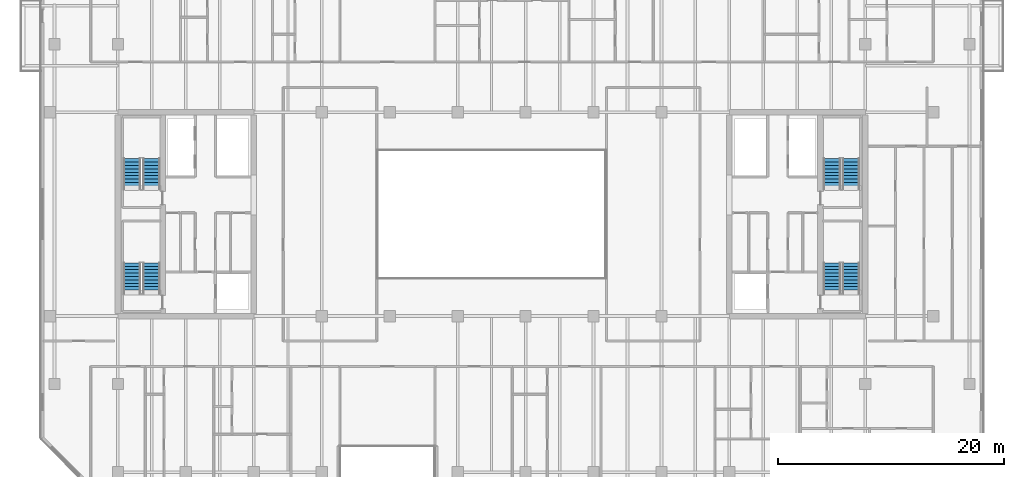
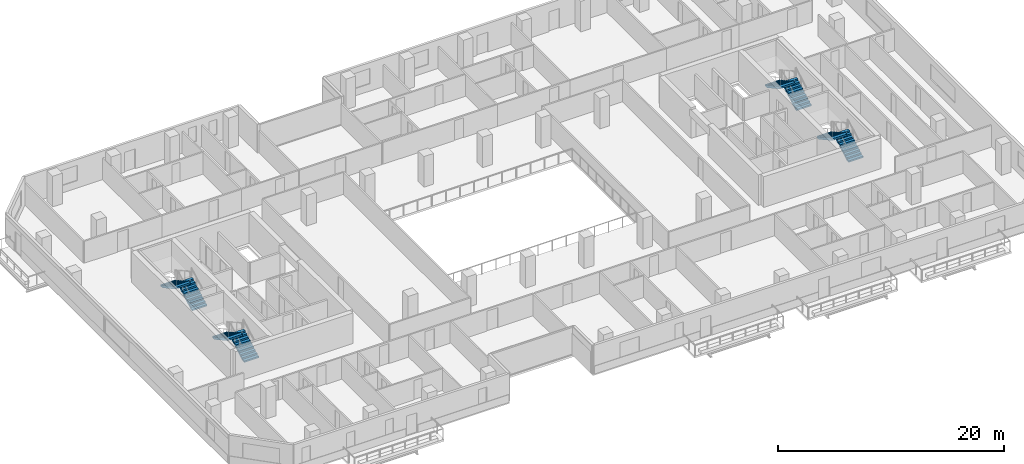
# One storey, part 17 of 23: 8 stair flights, 4 elements without a shape of their own.
"""IFC4 building model written with IfcOpenShell, lengths in metres."""

from ifc_helpers import new_model, si_unit, direction, frame, origin, place, context, subcontext, project, spatial, polyline, outline, extrude, material, type_object, element, aggregate, save


model = new_model("IFC4")

# Units and contexts
model_context = context("Model", 3, precision=1e-05, world=origin(), true_north=direction((0.0, 1.0)))
body_context = subcontext(model_context, "Body", "Model", "MODEL_VIEW")
ifc_project = project(units=[si_unit("LENGTHUNIT", "METRE"), si_unit("AREAUNIT", "SQUARE_METRE"), si_unit("VOLUMEUNIT", "CUBIC_METRE"), si_unit("PLANEANGLEUNIT", "RADIAN"), si_unit("MASSUNIT", "GRAM", prefix="KILO")], contexts=[model_context])

# Site, building, storey
site_placement = place(None, origin())
site = spatial("IfcSite", under=ifc_project, at=site_placement, CompositionType="ELEMENT")
building_placement = place(site_placement, origin())
building = spatial("IfcBuilding", under=site, at=building_placement, Name="Tanjung Sevakor Pilgrim Tower", CompositionType="ELEMENT")
storey_placement = place(building_placement, frame((0.0, 0.0, 88.77001953125)))
storey = spatial("IfcBuildingStorey", under=building, at=storey_placement, Name="L24", CompositionType="ELEMENT", Elevation=88.77001953125)

# Stair, stair flights
ifc_material_1 = material(Name="Concrete C40/50", Category="concrete")
stair_type = type_object("IfcStairType", Name="STAIR-ST-CR150", PredefinedType="HALF_TURN_STAIR", material=ifc_material_1)
stair_1_placement = place(storey_placement, origin())
stair_1 = element("IfcStair", 1, at=stair_1_placement, inside=storey, type_object=stair_type, Name="L24 West Core Exit Stair 1", PredefinedType="HALF_TURN_STAIR")
ifc_material_2 = material(Name="Concrete C40/50", Category="concrete")
stair_flight_type = type_object("IfcStairFlightType", Name="FLIGHT-ST-CR150", PredefinedType="STRAIGHT", material=ifc_material_2)
stair_flight_1_placement = place(storey_placement, frame((26.949951171875, 26.60009765625, 0.0), z_axis=(0.0, 0.0, 1.0), x_axis=(0.0, 1.0, 0.0)))
stair_flight_1 = element("IfcStairFlight", 2, at=stair_flight_1_placement, type_object=stair_flight_type, Name="TS-W1 flight 1", NumberOfRisers=10, NumberOfTreads=9, PredefinedType="STRAIGHT", RiserHeight=0.165, TreadLength=0.3, context=body_context, shape_type="SweptSolid", body=[
    extrude(outline(polyline([(0.0, 0.0), (0.0, 0.1650390625), (0.300048828125, 0.1650390625), (0.300048828125, 0.330078125), (0.60009765625, 0.330078125), (0.60009765625, 0.4951171875), (0.89990234375, 0.4951171875), (0.89990234375, 0.659912109375), (1.199951171875, 0.659912109375), (1.199951171875, 0.824951171875), (1.5, 0.824951171875), (1.5, 0.989990234375), (1.800048828125, 0.989990234375), (1.800048828125, 1.155029296875), (2.10009765625, 1.155029296875), (2.10009765625, 1.320068359375), (2.39990234375, 1.320068359375), (2.39990234375, 1.485107421875), (2.699951171875, 1.485107421875), (2.699951171875, 1.64990234375), (2.699951171875, 1.302490234375), (0.331787109375, 0.0), (0.0, 0.0)])), frame((0.0, 0.75, 0.0), z_axis=(0.0, -1.0, 0.0), x_axis=(1.0, 0.0, 0.0)), (0.0, 0.0, 1.0), 1.5),
])
stair_flight_2_placement = place(storey_placement, frame((25.25, 29.300048828125, 1.64990234375), z_axis=(0.0, 0.0, 1.0), x_axis=(0.0, -1.0, 0.0)))
stair_flight_2 = element("IfcStairFlight", 3, at=stair_flight_2_placement, type_object=stair_flight_type, Name="TS-W1 flight 2", NumberOfRisers=10, NumberOfTreads=9, PredefinedType="STRAIGHT", RiserHeight=0.165, TreadLength=0.3, context=body_context, shape_type="SweptSolid", body=[
    extrude(outline(polyline([(0.0, 0.0), (0.0, 0.1650390625), (0.300048828125, 0.1650390625), (0.300048828125, 0.330078125), (0.60009765625, 0.330078125), (0.60009765625, 0.4951171875), (0.89990234375, 0.4951171875), (0.89990234375, 0.659912109375), (1.199951171875, 0.659912109375), (1.199951171875, 0.824951171875), (1.5, 0.824951171875), (1.5, 0.989990234375), (1.800048828125, 0.989990234375), (1.800048828125, 1.155029296875), (2.10009765625, 1.155029296875), (2.10009765625, 1.320068359375), (2.39990234375, 1.320068359375), (2.39990234375, 1.485107421875), (2.699951171875, 1.485107421875), (2.699951171875, 1.64990234375), (2.699951171875, 1.302490234375), (0.331787109375, 0.0), (0.0, 0.0)])), frame((0.0, 0.75, 0.0), z_axis=(0.0, -1.0, 0.0), x_axis=(1.0, 0.0, 0.0)), (0.0, 0.0, 1.0), 1.5),
])
aggregate(stair_1, [stair_flight_1, stair_flight_2])

stair_2_placement = place(storey_placement, origin())
stair_2 = element("IfcStair", 4, at=stair_2_placement, inside=storey, type_object=stair_type, Name="L24 West Core Exit Stair 2", PredefinedType="HALF_TURN_STAIR")
stair_flight_3_placement = place(storey_placement, frame((26.949951171875, 35.800048828125, 0.0), z_axis=(0.0, 0.0, 1.0), x_axis=(0.0, 1.0, 0.0)))
stair_flight_3 = element("IfcStairFlight", 5, at=stair_flight_3_placement, type_object=stair_flight_type, Name="TS-W2 flight 1", NumberOfRisers=10, NumberOfTreads=9, PredefinedType="STRAIGHT", RiserHeight=0.165, TreadLength=0.3, context=body_context, shape_type="SweptSolid", body=[
    extrude(outline(polyline([(0.0, 0.0), (0.0, 0.1650390625), (0.300048828125, 0.1650390625), (0.300048828125, 0.330078125), (0.60009765625, 0.330078125), (0.60009765625, 0.4951171875), (0.89990234375, 0.4951171875), (0.89990234375, 0.659912109375), (1.199951171875, 0.659912109375), (1.199951171875, 0.824951171875), (1.5, 0.824951171875), (1.5, 0.989990234375), (1.800048828125, 0.989990234375), (1.800048828125, 1.155029296875), (2.10009765625, 1.155029296875), (2.10009765625, 1.320068359375), (2.39990234375, 1.320068359375), (2.39990234375, 1.485107421875), (2.699951171875, 1.485107421875), (2.699951171875, 1.64990234375), (2.699951171875, 1.302490234375), (0.331787109375, 0.0), (0.0, 0.0)])), frame((0.0, 0.75, 0.0), z_axis=(0.0, -1.0, 0.0), x_axis=(1.0, 0.0, 0.0)), (0.0, 0.0, 1.0), 1.5),
])
stair_flight_4_placement = place(storey_placement, frame((25.25, 38.5, 1.64990234375), z_axis=(0.0, 0.0, 1.0), x_axis=(0.0, -1.0, 0.0)))
stair_flight_4 = element("IfcStairFlight", 6, at=stair_flight_4_placement, type_object=stair_flight_type, Name="TS-W2 flight 2", NumberOfRisers=10, NumberOfTreads=9, PredefinedType="STRAIGHT", RiserHeight=0.165, TreadLength=0.3, context=body_context, shape_type="SweptSolid", body=[
    extrude(outline(polyline([(0.0, 0.0), (0.0, 0.1650390625), (0.300048828125, 0.1650390625), (0.300048828125, 0.330078125), (0.60009765625, 0.330078125), (0.60009765625, 0.4951171875), (0.89990234375, 0.4951171875), (0.89990234375, 0.659912109375), (1.199951171875, 0.659912109375), (1.199951171875, 0.824951171875), (1.5, 0.824951171875), (1.5, 0.989990234375), (1.800048828125, 0.989990234375), (1.800048828125, 1.155029296875), (2.10009765625, 1.155029296875), (2.10009765625, 1.320068359375), (2.39990234375, 1.320068359375), (2.39990234375, 1.485107421875), (2.699951171875, 1.485107421875), (2.699951171875, 1.64990234375), (2.699951171875, 1.302490234375), (0.331787109375, 0.0), (0.0, 0.0)])), frame((0.0, 0.75, 0.0), z_axis=(0.0, -1.0, 0.0), x_axis=(1.0, 0.0, 0.0)), (0.0, 0.0, 1.0), 1.5),
])
aggregate(stair_2, [stair_flight_3, stair_flight_4])

stair_3_placement = place(storey_placement, origin())
stair_3 = element("IfcStair", 7, at=stair_3_placement, inside=storey, type_object=stair_type, Name="L24 East Core Exit Stair 1", PredefinedType="HALF_TURN_STAIR")
stair_flight_5_placement = place(storey_placement, frame((88.75, 26.60009765625, 0.0), z_axis=(0.0, 0.0, 1.0), x_axis=(0.0, 1.0, 0.0)))
stair_flight_5 = element("IfcStairFlight", 8, at=stair_flight_5_placement, type_object=stair_flight_type, Name="TS-E1 flight 1", NumberOfRisers=10, NumberOfTreads=9, PredefinedType="STRAIGHT", RiserHeight=0.165, TreadLength=0.3, context=body_context, shape_type="SweptSolid", body=[
    extrude(outline(polyline([(0.0, 0.0), (0.0, 0.1650390625), (0.300048828125, 0.1650390625), (0.300048828125, 0.330078125), (0.60009765625, 0.330078125), (0.60009765625, 0.4951171875), (0.89990234375, 0.4951171875), (0.89990234375, 0.659912109375), (1.199951171875, 0.659912109375), (1.199951171875, 0.824951171875), (1.5, 0.824951171875), (1.5, 0.989990234375), (1.800048828125, 0.989990234375), (1.800048828125, 1.155029296875), (2.10009765625, 1.155029296875), (2.10009765625, 1.320068359375), (2.39990234375, 1.320068359375), (2.39990234375, 1.485107421875), (2.699951171875, 1.485107421875), (2.699951171875, 1.64990234375), (2.699951171875, 1.302490234375), (0.331787109375, 0.0), (0.0, 0.0)])), frame((0.0, 0.75, 0.0), z_axis=(0.0, -1.0, 0.0), x_axis=(1.0, 0.0, 0.0)), (0.0, 0.0, 1.0), 1.5),
])
stair_flight_6_placement = place(storey_placement, frame((87.050048828125, 29.300048828125, 1.64990234375), z_axis=(0.0, 0.0, 1.0), x_axis=(0.0, -1.0, 0.0)))
stair_flight_6 = element("IfcStairFlight", 9, at=stair_flight_6_placement, type_object=stair_flight_type, Name="TS-E1 flight 2", NumberOfRisers=10, NumberOfTreads=9, PredefinedType="STRAIGHT", RiserHeight=0.165, TreadLength=0.3, context=body_context, shape_type="SweptSolid", body=[
    extrude(outline(polyline([(0.0, 0.0), (0.0, 0.1650390625), (0.300048828125, 0.1650390625), (0.300048828125, 0.330078125), (0.60009765625, 0.330078125), (0.60009765625, 0.4951171875), (0.89990234375, 0.4951171875), (0.89990234375, 0.659912109375), (1.199951171875, 0.659912109375), (1.199951171875, 0.824951171875), (1.5, 0.824951171875), (1.5, 0.989990234375), (1.800048828125, 0.989990234375), (1.800048828125, 1.155029296875), (2.10009765625, 1.155029296875), (2.10009765625, 1.320068359375), (2.39990234375, 1.320068359375), (2.39990234375, 1.485107421875), (2.699951171875, 1.485107421875), (2.699951171875, 1.64990234375), (2.699951171875, 1.302490234375), (0.331787109375, 0.0), (0.0, 0.0)])), frame((0.0, 0.75, 0.0), z_axis=(0.0, -1.0, 0.0), x_axis=(1.0, 0.0, 0.0)), (0.0, 0.0, 1.0), 1.5),
])
aggregate(stair_3, [stair_flight_5, stair_flight_6])

stair_4_placement = place(storey_placement, origin())
stair_4 = element("IfcStair", 10, at=stair_4_placement, inside=storey, type_object=stair_type, Name="L24 East Core Exit Stair 2", PredefinedType="HALF_TURN_STAIR")
stair_flight_7_placement = place(storey_placement, frame((88.75, 35.800048828125, 0.0), z_axis=(0.0, 0.0, 1.0), x_axis=(0.0, 1.0, 0.0)))
stair_flight_7 = element("IfcStairFlight", 11, at=stair_flight_7_placement, type_object=stair_flight_type, Name="TS-E2 flight 1", NumberOfRisers=10, NumberOfTreads=9, PredefinedType="STRAIGHT", RiserHeight=0.165, TreadLength=0.3, context=body_context, shape_type="SweptSolid", body=[
    extrude(outline(polyline([(0.0, 0.0), (0.0, 0.1650390625), (0.300048828125, 0.1650390625), (0.300048828125, 0.330078125), (0.60009765625, 0.330078125), (0.60009765625, 0.4951171875), (0.89990234375, 0.4951171875), (0.89990234375, 0.659912109375), (1.199951171875, 0.659912109375), (1.199951171875, 0.824951171875), (1.5, 0.824951171875), (1.5, 0.989990234375), (1.800048828125, 0.989990234375), (1.800048828125, 1.155029296875), (2.10009765625, 1.155029296875), (2.10009765625, 1.320068359375), (2.39990234375, 1.320068359375), (2.39990234375, 1.485107421875), (2.699951171875, 1.485107421875), (2.699951171875, 1.64990234375), (2.699951171875, 1.302490234375), (0.331787109375, 0.0), (0.0, 0.0)])), frame((0.0, 0.75, 0.0), z_axis=(0.0, -1.0, 0.0), x_axis=(1.0, 0.0, 0.0)), (0.0, 0.0, 1.0), 1.5),
])
stair_flight_8_placement = place(storey_placement, frame((87.050048828125, 38.5, 1.64990234375), z_axis=(0.0, 0.0, 1.0), x_axis=(0.0, -1.0, 0.0)))
stair_flight_8 = element("IfcStairFlight", 12, at=stair_flight_8_placement, type_object=stair_flight_type, Name="TS-E2 flight 2", NumberOfRisers=10, NumberOfTreads=9, PredefinedType="STRAIGHT", RiserHeight=0.165, TreadLength=0.3, context=body_context, shape_type="SweptSolid", body=[
    extrude(outline(polyline([(0.0, 0.0), (0.0, 0.1650390625), (0.300048828125, 0.1650390625), (0.300048828125, 0.330078125), (0.60009765625, 0.330078125), (0.60009765625, 0.4951171875), (0.89990234375, 0.4951171875), (0.89990234375, 0.659912109375), (1.199951171875, 0.659912109375), (1.199951171875, 0.824951171875), (1.5, 0.824951171875), (1.5, 0.989990234375), (1.800048828125, 0.989990234375), (1.800048828125, 1.155029296875), (2.10009765625, 1.155029296875), (2.10009765625, 1.320068359375), (2.39990234375, 1.320068359375), (2.39990234375, 1.485107421875), (2.699951171875, 1.485107421875), (2.699951171875, 1.64990234375), (2.699951171875, 1.302490234375), (0.331787109375, 0.0), (0.0, 0.0)])), frame((0.0, 0.75, 0.0), z_axis=(0.0, -1.0, 0.0), x_axis=(1.0, 0.0, 0.0)), (0.0, 0.0, 1.0), 1.5),
])
aggregate(stair_4, [stair_flight_7, stair_flight_8])

save(model, "model.ifc")
